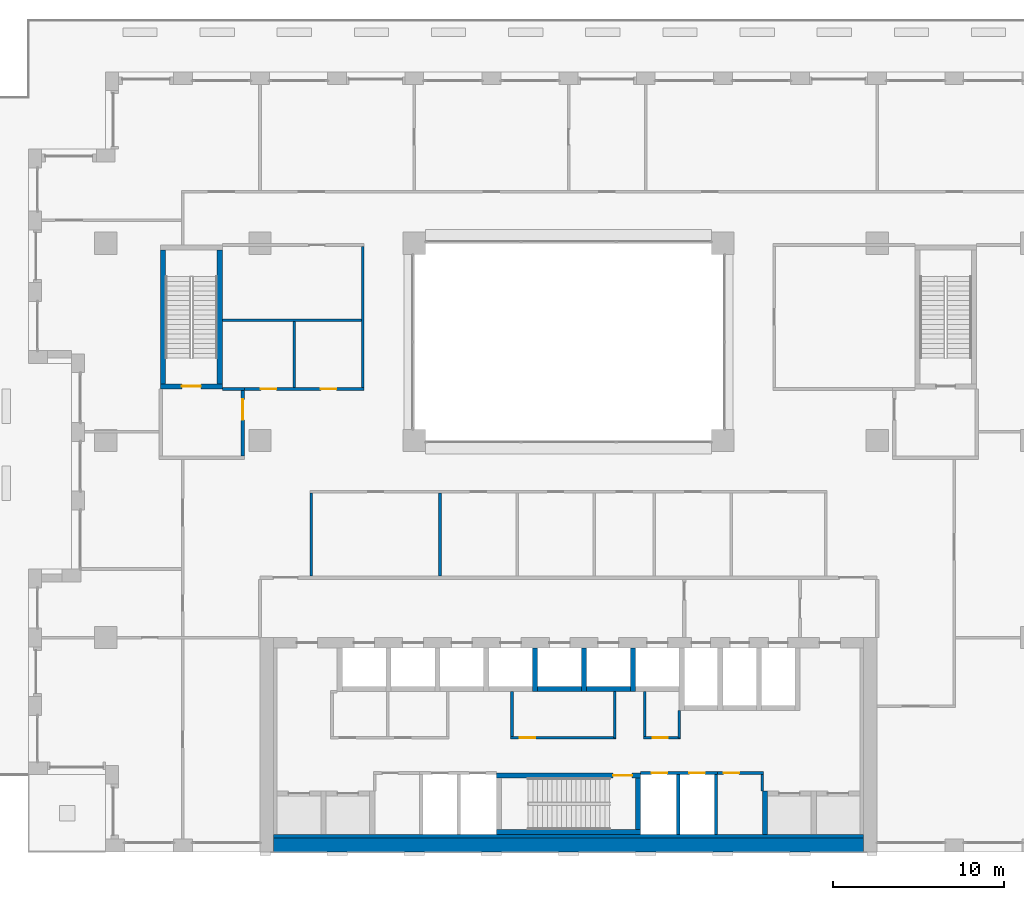
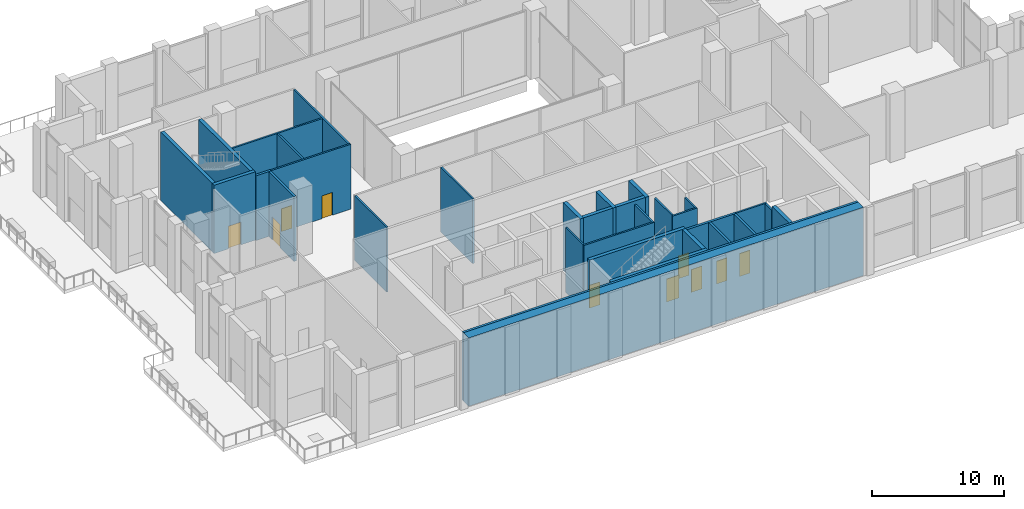
# One storey, part 14 of 21: 33 walls, 10 doors, 10 openings.
"""IFC4 building model written with IfcOpenShell, lengths in metres."""

from ifc_helpers import new_model, si_unit, direction, frame, frame_2d, origin, place, context, subcontext, project, spatial, rectangle, extrude, material, layer, layer_set, type_object, element, fill, save


model = new_model("IFC4")

# Units and contexts
model_context = context("Model", 3, precision=1e-05, world=origin(), true_north=direction((0.0, 1.0)))
body_context = subcontext(model_context, "Body", "Model", "MODEL_VIEW")
ifc_project = project(units=[si_unit("LENGTHUNIT", "METRE"), si_unit("AREAUNIT", "SQUARE_METRE"), si_unit("VOLUMEUNIT", "CUBIC_METRE"), si_unit("PLANEANGLEUNIT", "RADIAN"), si_unit("MASSUNIT", "GRAM", prefix="KILO")], contexts=[model_context])

# Site, building, storey
site_placement = place(None, origin())
site = spatial("IfcSite", under=ifc_project, at=site_placement, CompositionType="ELEMENT")
building_placement = place(site_placement, origin())
building = spatial("IfcBuilding", under=site, at=building_placement, Name="Brigalow Station Residences", CompositionType="ELEMENT")
storey_placement = place(building_placement, frame((0.0, 0.0, 77.25)))
storey = spatial("IfcBuildingStorey", under=building, at=storey_placement, Name="L22", CompositionType="ELEMENT", Elevation=77.25)

# Walls
ifc_material_1 = material(Name="Concrete C65", Category="concrete")
ifc_layer_1 = layer(ifc_material_1, 0.199951171875)
ifc_layer_set_1 = layer_set([ifc_layer_1], Name="CORE SHEAR WALL 200 C65")
wall_type_1 = type_object("IfcWallType", Name="CORE SHEAR WALL 200 C65", PredefinedType="SHEAR", material=ifc_layer_set_1)
wall_1_placement = place(storey_placement, frame((18.800048828125, 0.89990234375, 0.0), z_axis=(0.0, 0.0, 1.0), x_axis=(1.0, 0.0, 0.0)))
element("IfcWall", 1, at=wall_1_placement, inside=storey, type_object=wall_type_1, Name="CORE WALL LIN-S L22", PredefinedType="SHEAR", context=body_context, shape_type="SweptSolid", body=[
    extrude(rectangle(XDim=34.39990234375, YDim=0.199951171875, at=frame_2d((17.199951171875, 0.0))), origin(), (0.0, 0.0, 1.0), 6.300048828125),
])
ifc_material_2 = material(Name="Concrete C65", Category="concrete")
ifc_layer_2 = layer(ifc_material_2, 0.300048828125)
ifc_layer_set_2 = layer_set([ifc_layer_2], Name="CORE SHEAR WALL 300 C65")
wall_type_2 = type_object("IfcWallType", Name="CORE SHEAR WALL 300 C65", PredefinedType="SHEAR", material=ifc_layer_set_2)
wall_2_placement = place(storey_placement, frame((34.199951171875, 9.5, 0.0), z_axis=(0.0, 0.0, 1.0), x_axis=(1.0, 0.0, 0.0)))
element("IfcWall", 2, at=wall_2_placement, inside=storey, type_object=wall_type_2, Name="CORE WALL SH-P5-S L22", PredefinedType="SHEAR", context=body_context, shape_type="SweptSolid", body=[
    extrude(rectangle(XDim=2.550048828125, YDim=0.300048828125, at=frame_2d((1.27490234375, 0.0))), origin(), (0.0, 0.0, 1.0), 6.300048828125),
])
wall_3_placement = place(storey_placement, frame((34.050048828125, 9.35009765625, 0.0), z_axis=(0.0, 0.0, 1.0), x_axis=(0.0, 1.0, 0.0)))
element("IfcWall", 3, at=wall_3_placement, inside=storey, type_object=wall_type_2, Name="CORE WALL SH-P5-W L22", PredefinedType="SHEAR", context=body_context, shape_type="SweptSolid", body=[
    extrude(rectangle(XDim=2.5498046875, YDim=0.300048828125, at=frame_2d((1.27490234375, 0.0))), origin(), (0.0, 0.0, 1.0), 6.300048828125),
])
wall_4_placement = place(storey_placement, frame((37.050048828125, 9.5, 0.0), z_axis=(0.0, 0.0, 1.0), x_axis=(1.0, 0.0, 0.0)))
element("IfcWall", 4, at=wall_4_placement, inside=storey, type_object=wall_type_2, Name="CORE WALL SH-X1-S L22", PredefinedType="SHEAR", context=body_context, shape_type="SweptSolid", body=[
    extrude(rectangle(XDim=2.550048828125, YDim=0.300048828125, at=frame_2d((1.27490234375, 0.0))), origin(), (0.0, 0.0, 1.0), 6.300048828125),
])
for number, where, z_axis, x_axis, name in (
    (5, (36.89990234375, 9.35009765625, 0.0), (0.0, 0.0, 1.0), (0.0, 1.0, 0.0), "CORE WALL SH-X1-W L22"),
    (6, (39.75, 9.35009765625, 0.0), (0.0, 0.0, 1.0), (0.0, 1.0, 0.0), "CORE WALL SH-X2-W L22"),
):
    element("IfcWall", number, at=place(storey_placement, frame(where, z_axis=z_axis, x_axis=x_axis)), inside=storey, type_object=wall_type_2, Name=name, PredefinedType="SHEAR", context=body_context, shape_type="SweptSolid", body=[
        extrude(rectangle(XDim=2.5498046875, YDim=0.300048828125, at=frame_2d((1.27490234375, 0.0))), origin(), (0.0, 0.0, 1.0), 6.300048828125),
    ])
wall_5_placement = place(storey_placement, frame((47.449951171875, 1.0, 0.0), z_axis=(0.0, 0.0, 1.0), x_axis=(0.0, 1.0, 0.0)))
element("IfcWall", 7, at=wall_5_placement, inside=storey, type_object=wall_type_2, Name="CORE WALL SH-C3-W L22", PredefinedType="SHEAR", context=body_context, shape_type="SweptSolid", body=[
    extrude(rectangle(XDim=2.550048828125, YDim=0.300048828125, at=frame_2d((1.27490234375, 0.0))), origin(), (0.0, 0.0, 1.0), 6.300048828125),
])
wall_6_placement = place(storey_placement, frame((31.800048828125, 1.14990234375, 0.0), z_axis=(0.0, 0.0, 1.0), x_axis=(1.0, 0.0, 0.0)))
element("IfcWall", 8, at=wall_6_placement, inside=storey, type_object=wall_type_2, Name="CORE WALL ST-S2-S L22", PredefinedType="SHEAR", context=body_context, shape_type="SweptSolid", body=[
    extrude(rectangle(XDim=8.39990234375, YDim=0.300048828125, at=frame_2d((4.199951171875, 0.0))), origin(), (0.0, 0.0, 1.0), 6.300048828125),
])

# Wall, opening, door
wall_7_placement = place(storey_placement, frame((31.800048828125, 4.449951171875, 0.0), z_axis=(0.0, 0.0, 1.0), x_axis=(1.0, 0.0, 0.0)))
wall_7 = element("IfcWall", 9, at=wall_7_placement, inside=storey, type_object=wall_type_2, Name="CORE WALL ST-S2-N L22", PredefinedType="SHEAR", context=body_context, shape_type="SweptSolid", body=[
    extrude(rectangle(XDim=8.39990234375, YDim=0.300048828125, at=frame_2d((4.199951171875, 0.0))), origin(), (0.0, 0.0, 1.0), 6.300048828125),
])
opening_1_placement = place(wall_7_placement, frame((6.800048828125, 0.0, 0.0)))
opening_1 = element("IfcOpeningElement", 10, at=opening_1_placement, cuts=wall_7, Name="Opening D-5001", PredefinedType="OPENING", context=body_context, shape_type="SweptSolid", body=[
    extrude(rectangle(XDim=1.10009765625, YDim=2.10009765625, at=frame_2d((0.550048828125, 1.050048828125))), frame((0.0, 0.16015625, 0.0), z_axis=(0.0, -1.0, 0.0), x_axis=(1.0, 0.0, 0.0)), (0.0, 0.0, 1.0), 0.320068359375),
])
ifc_material_3 = material(Name="Steel fire door leaf in steel frame", Category="steel")
door_type_1 = type_object("IfcDoorType", Name="STAIR DOOR 1100 x 2100 FD60S", OperationType="SINGLE_SWING_LEFT", PredefinedType="DOOR", material=ifc_material_3)
door_1_placement = place(opening_1_placement, frame((1.10009765625, 0.0, 0.0), z_axis=(0.0, 0.0, 1.0), x_axis=(-1.0, 0.0, 0.0)))
door_1 = element("IfcDoor", 11, at=door_1_placement, inside=storey, type_object=door_type_1, Name="D-5001", OperationType="SINGLE_SWING_LEFT", OverallHeight=2.10009765625, OverallWidth=1.10009765625, PredefinedType="DOOR", context=body_context, shape_type="SweptSolid", body=[
    extrude(rectangle(XDim=1.10009765625, YDim=2.10009765625, at=frame_2d((0.550048828125, 1.050048828125))), frame((0.0, 0.02490234375, 0.0), z_axis=(0.0, -1.0, 0.0), x_axis=(1.0, 0.0, 0.0)), (0.0, 0.0, 1.0), 0.050048828125),
])
fill(opening_1, door_1)

# Wall
wall_8_placement = place(storey_placement, frame((40.050048828125, 1.300048828125, 0.0), z_axis=(0.0, 0.0, 1.0), x_axis=(0.0, 1.0, 0.0)))
element("IfcWall", 12, at=wall_8_placement, inside=storey, type_object=wall_type_2, Name="CORE WALL ST-S2-E L22", PredefinedType="SHEAR", context=body_context, shape_type="SweptSolid", body=[
    extrude(rectangle(XDim=3.0, YDim=0.300048828125, at=frame_2d((1.5, 0.0))), origin(), (0.0, 0.0, 1.0), 6.300048828125),
])

# Wall, opening, door
wall_9_placement = place(storey_placement, frame((12.199951171875, 27.14990234375, 0.0), z_axis=(0.0, 0.0, 1.0), x_axis=(1.0, 0.0, 0.0)))
wall_9 = element("IfcWall", 13, at=wall_9_placement, inside=storey, type_object=wall_type_2, Name="CORE WALL ST-S1-S L22", PredefinedType="SHEAR", context=body_context, shape_type="SweptSolid", body=[
    extrude(rectangle(XDim=3.60009765625, YDim=0.300048828125, at=frame_2d((1.800048828125, 0.0))), origin(), (0.0, 0.0, 1.0), 6.300048828125),
])
opening_2_placement = place(wall_9_placement, frame((1.25, 0.0, 0.0)))
opening_2 = element("IfcOpeningElement", 14, at=opening_2_placement, cuts=wall_9, Name="Opening D-5015", PredefinedType="OPENING", context=body_context, shape_type="SweptSolid", body=[
    extrude(rectangle(XDim=1.10009765625, YDim=2.10009765625, at=frame_2d((0.550048828125, 1.050048828125))), frame((0.0, 0.16015625, 0.0), z_axis=(0.0, -1.0, 0.0), x_axis=(1.0, 0.0, 0.0)), (0.0, 0.0, 1.0), 0.320068359375),
])
door_2_placement = place(opening_2_placement, origin())
door_2 = element("IfcDoor", 15, at=door_2_placement, inside=storey, type_object=door_type_1, Name="D-5015", OperationType="SINGLE_SWING_RIGHT", OverallHeight=2.10009765625, OverallWidth=1.10009765625, PredefinedType="DOOR", context=body_context, shape_type="SweptSolid", body=[
    extrude(rectangle(XDim=1.10009765625, YDim=2.10009765625, at=frame_2d((0.550048828125, 1.050048828125))), frame((0.0, 0.02490234375, 0.0), z_axis=(0.0, -1.0, 0.0), x_axis=(1.0, 0.0, 0.0)), (0.0, 0.0, 1.0), 0.050048828125),
])
fill(opening_2, door_2)

# Walls
for number, where, z_axis, x_axis, name in (
    (16, (12.35009765625, 27.300048828125, 0.0), (0.0, 0.0, 1.0), (0.0, 1.0, 0.0), "CORE WALL ST-S1-W L22"),
    (17, (15.64990234375, 27.300048828125, 0.0), (0.0, 0.0, 1.0), (0.0, 1.0, 0.0), "CORE WALL ST-S1-E L22"),
):
    element("IfcWall", number, at=place(storey_placement, frame(where, z_axis=z_axis, x_axis=x_axis)), inside=storey, type_object=wall_type_2, Name=name, PredefinedType="SHEAR", context=body_context, shape_type="SweptSolid", body=[
        extrude(rectangle(XDim=7.800048828125, YDim=0.300048828125, at=frame_2d((3.89990234375, 0.0))), origin(), (0.0, 0.0, 1.0), 6.300048828125),
    ])
ifc_material_4 = material(Name="Concrete C65", Category="concrete")
ifc_layer_3 = layer(ifc_material_4, 0.800048828125)
ifc_layer_set_3 = layer_set([ifc_layer_3], Name="CORE SHEAR WALL 800 C65")
wall_type_3 = type_object("IfcWallType", Name="CORE SHEAR WALL 800 C65", PredefinedType="SHEAR", material=ifc_layer_set_3)
wall_10_placement = place(storey_placement, frame((18.800048828125, 0.39990234375, 0.0), z_axis=(0.0, 0.0, 1.0), x_axis=(1.0, 0.0, 0.0)))
element("IfcWall", 18, at=wall_10_placement, inside=storey, type_object=wall_type_3, Name="CORE WALL OUT-S L22", PredefinedType="SHEAR", context=body_context, shape_type="SweptSolid", body=[
    extrude(rectangle(XDim=34.39990234375, YDim=0.800048828125, at=frame_2d((17.199951171875, 0.0))), origin(), (0.0, 0.0, 1.0), 6.300048828125),
])

# Wall, openings, doors
ifc_material_5 = material(Name="Concrete blockwork", Category="masonry")
ifc_layer_4 = layer(ifc_material_5, 0.199951171875)
ifc_layer_set_4 = layer_set([ifc_layer_4], Name="FIRE RATED CORE PARTITION 200")
wall_type_4 = type_object("IfcWallType", Name="FIRE RATED CORE PARTITION 200", PredefinedType="PARTITIONING", material=ifc_layer_set_4)
wall_11_placement = place(storey_placement, frame((40.199951171875, 4.60009765625, 0.0), z_axis=(0.0, 0.0, 1.0), x_axis=(1.0, 0.0, 0.0)))
wall_11 = element("IfcWall", 19, at=wall_11_placement, inside=storey, type_object=wall_type_4, Name="PW-5018", PredefinedType="PARTITIONING", context=body_context, shape_type="SweptSolid", body=[
    extrude(rectangle(XDim=4.5, YDim=0.199951171875, at=frame_2d((2.25, 0.0))), origin(), (0.0, 0.0, 1.0), 5.97998046875),
])
opening_3_placement = place(wall_11_placement, frame((0.64990234375, 0.0, 0.0)))
opening_3 = element("IfcOpeningElement", 20, at=opening_3_placement, cuts=wall_11, Name="Opening D-5009", PredefinedType="OPENING", context=body_context, shape_type="SweptSolid", body=[
    extrude(rectangle(XDim=0.89990234375, YDim=2.10009765625, at=frame_2d((0.449951171875, 1.050048828125))), frame((0.0, 0.10986328125, 0.0), z_axis=(0.0, -1.0, 0.0), x_axis=(1.0, 0.0, 0.0)), (0.0, 0.0, 1.0), 0.219970703125),
])
opening_4_placement = place(wall_11_placement, frame((2.85009765625, 0.0, 0.0)))
opening_4 = element("IfcOpeningElement", 21, at=opening_4_placement, cuts=wall_11, Name="Opening D-5010", PredefinedType="OPENING", context=body_context, shape_type="SweptSolid", body=[
    extrude(rectangle(XDim=0.89990234375, YDim=2.10009765625, at=frame_2d((0.449951171875, 1.050048828125))), frame((0.0, 0.10986328125, 0.0), z_axis=(0.0, -1.0, 0.0), x_axis=(1.0, 0.0, 0.0)), (0.0, 0.0, 1.0), 0.219970703125),
])
ifc_material_6 = material(Name="Steel fire door leaf in steel frame", Category="steel")
door_type_2 = type_object("IfcDoorType", Name="RISER ACCESS DOOR 900 x 2100 FD120", OperationType="SINGLE_SWING_LEFT", PredefinedType="DOOR", material=ifc_material_6)
door_3_placement = place(opening_3_placement, frame((0.89990234375, 0.0, 0.0), z_axis=(0.0, 0.0, 1.0), x_axis=(-1.0, 0.0, 0.0)))
door_3 = element("IfcDoor", 22, at=door_3_placement, inside=storey, type_object=door_type_2, Name="D-5009", OperationType="SINGLE_SWING_LEFT", OverallHeight=2.10009765625, OverallWidth=0.89990234375, PredefinedType="DOOR", context=body_context, shape_type="SweptSolid", body=[
    extrude(rectangle(XDim=0.89990234375, YDim=2.10009765625, at=frame_2d((0.449951171875, 1.050048828125))), frame((0.0, 0.02490234375, 0.0), z_axis=(0.0, -1.0, 0.0), x_axis=(1.0, 0.0, 0.0)), (0.0, 0.0, 1.0), 0.050048828125),
])
fill(opening_3, door_3)
door_4_placement = place(opening_4_placement, frame((0.89990234375, 0.0, 0.0), z_axis=(0.0, 0.0, 1.0), x_axis=(-1.0, 0.0, 0.0)))
door_4 = element("IfcDoor", 23, at=door_4_placement, inside=storey, type_object=door_type_2, Name="D-5010", OperationType="SINGLE_SWING_RIGHT", OverallHeight=2.10009765625, OverallWidth=0.89990234375, PredefinedType="DOOR", context=body_context, shape_type="SweptSolid", body=[
    extrude(rectangle(XDim=0.89990234375, YDim=2.10009765625, at=frame_2d((0.449951171875, 1.050048828125))), frame((0.0, 0.02490234375, 0.0), z_axis=(0.0, -1.0, 0.0), x_axis=(1.0, 0.0, 0.0)), (0.0, 0.0, 1.0), 0.050048828125),
])
fill(opening_4, door_4)

# Walls
wall_12_placement = place(storey_placement, frame((15.800048828125, 27.0, 0.0), z_axis=(0.0, 0.0, 1.0), x_axis=(1.0, 0.0, 0.0)))
element("IfcWall", 24, at=wall_12_placement, inside=storey, type_object=wall_type_4, Name="PW-5025", PredefinedType="PARTITIONING", context=body_context, shape_type="SweptSolid", body=[
    extrude(rectangle(XDim=1.300048828125, YDim=0.199951171875, at=frame_2d((0.64990234375, 0.0))), origin(), (0.0, 0.0, 1.0), 5.97998046875),
])
for number, where, z_axis, x_axis, name in (
    (25, (42.39990234375, 1.0, 0.0), (0.0, 0.0, 1.0), (0.0, 1.0, 0.0), "PW-5007"),
    (26, (44.60009765625, 1.0, 0.0), (0.0, 0.0, 1.0), (0.0, 1.0, 0.0), "PW-5008"),
):
    element("IfcWall", number, at=place(storey_placement, frame(where, z_axis=z_axis, x_axis=x_axis)), inside=storey, type_object=wall_type_4, Name=name, PredefinedType="PARTITIONING", context=body_context, shape_type="SweptSolid", body=[
        extrude(rectangle(XDim=3.5, YDim=0.199951171875, at=frame_2d((1.75, 0.0))), origin(), (0.0, 0.0, 1.0), 5.97998046875),
    ])

# Wall, opening, door
wall_13_placement = place(storey_placement, frame((17.0, 23.10009765625, 0.0), z_axis=(0.0, 0.0, 1.0), x_axis=(0.0, 1.0, 0.0)))
wall_13 = element("IfcWall", 27, at=wall_13_placement, inside=storey, type_object=wall_type_4, Name="PW-5035", PredefinedType="PARTITIONING", context=body_context, shape_type="SweptSolid", body=[
    extrude(rectangle(XDim=3.7998046875, YDim=0.199951171875, at=frame_2d((1.89990234375, 0.0))), origin(), (0.0, 0.0, 1.0), 5.97998046875),
])
opening_5_placement = place(wall_13_placement, frame((2.10009765625, 0.0, 0.0)))
opening_5 = element("IfcOpeningElement", 28, at=opening_5_placement, cuts=wall_13, Name="Opening D-5016", PredefinedType="OPENING", context=body_context, shape_type="SweptSolid", body=[
    extrude(rectangle(XDim=1.199951171875, YDim=2.10009765625, at=frame_2d((0.60009765625, 1.050048828125))), frame((0.0, 0.10986328125, 0.0), z_axis=(0.0, -1.0, 0.0), x_axis=(1.0, 0.0, 0.0)), (0.0, 0.0, 1.0), 0.219970703125),
])
ifc_material_7 = material(Name="Steel fire door leaf in steel frame", Category="steel")
door_type_3 = type_object("IfcDoorType", Name="STAIR LOBBY DOOR 1200 x 2100 FD60S", OperationType="SINGLE_SWING_LEFT", PredefinedType="DOOR", material=ifc_material_7)
door_5_placement = place(opening_5_placement, origin())
door_5 = element("IfcDoor", 29, at=door_5_placement, inside=storey, type_object=door_type_3, Name="D-5016", OperationType="SINGLE_SWING_RIGHT", OverallHeight=2.10009765625, OverallWidth=1.199951171875, PredefinedType="DOOR", context=body_context, shape_type="SweptSolid", body=[
    extrude(rectangle(XDim=1.199951171875, YDim=2.10009765625, at=frame_2d((0.60009765625, 1.050048828125))), frame((0.0, 0.02490234375, 0.0), z_axis=(0.0, -1.0, 0.0), x_axis=(1.0, 0.0, 0.0)), (0.0, 0.0, 1.0), 0.050048828125),
])
fill(opening_5, door_5)

# Wall, openings, doors
ifc_material_8 = material(Name="Plasterboard on steel stud partition", Category="steel")
ifc_layer_5 = layer(ifc_material_8, 0.14990234375)
ifc_layer_set_5 = layer_set([ifc_layer_5], Name="FLAT PARTITION 150")
wall_type_5 = type_object("IfcWallType", Name="FLAT PARTITION 150", PredefinedType="PARTITIONING", material=ifc_layer_set_5)
wall_14_placement = place(storey_placement, frame((17.10009765625, 27.0, 0.0), z_axis=(0.0, 0.0, 1.0), x_axis=(1.0, 0.0, 0.0)))
wall_14 = element("IfcWall", 30, at=wall_14_placement, inside=storey, type_object=wall_type_5, Name="PW-SA102", PredefinedType="PARTITIONING", context=body_context, shape_type="SweptSolid", body=[
    extrude(rectangle(XDim=6.974853515625, YDim=0.14990234375, at=frame_2d((3.4873046875, 0.0))), origin(), (0.0, 0.0, 1.0), 5.97998046875),
])
opening_6_placement = place(wall_14_placement, frame((0.949951171875, 0.0, 0.0)))
opening_6 = element("IfcOpeningElement", 31, at=opening_6_placement, cuts=wall_14, Name="Opening D-SA107", PredefinedType="OPENING", context=body_context, shape_type="SweptSolid", body=[
    extrude(rectangle(XDim=0.89990234375, YDim=2.10009765625, at=frame_2d((0.449951171875, 1.050048828125))), frame((0.0, 0.0849609375, 0.0), z_axis=(0.0, -1.0, 0.0), x_axis=(1.0, 0.0, 0.0)), (0.0, 0.0, 1.0), 0.169921875),
])
opening_7_placement = place(wall_14_placement, frame((4.449951171875, 0.0, 0.0)))
opening_7 = element("IfcOpeningElement", 32, at=opening_7_placement, cuts=wall_14, Name="Opening D-SA108", PredefinedType="OPENING", context=body_context, shape_type="SweptSolid", body=[
    extrude(rectangle(XDim=0.89990234375, YDim=2.10009765625, at=frame_2d((0.449951171875, 1.050048828125))), frame((0.0, 0.0849609375, 0.0), z_axis=(0.0, -1.0, 0.0), x_axis=(1.0, 0.0, 0.0)), (0.0, 0.0, 1.0), 0.169921875),
])
ifc_material_9 = material(Name="Solid-core timber door leaf", Category="wood")
door_type_4 = type_object("IfcDoorType", Name="INTERNAL DOOR 900 x 2100", OperationType="SINGLE_SWING_LEFT", PredefinedType="DOOR", material=ifc_material_9)
door_6_placement = place(opening_6_placement, origin())
door_6 = element("IfcDoor", 33, at=door_6_placement, inside=storey, type_object=door_type_4, Name="D-SA107", OperationType="SINGLE_SWING_RIGHT", OverallHeight=2.10009765625, OverallWidth=0.89990234375, PredefinedType="DOOR", context=body_context, shape_type="SweptSolid", body=[
    extrude(rectangle(XDim=0.89990234375, YDim=2.10009765625, at=frame_2d((0.449951171875, 1.050048828125))), frame((0.0, 0.02490234375, 0.0), z_axis=(0.0, -1.0, 0.0), x_axis=(1.0, 0.0, 0.0)), (0.0, 0.0, 1.0), 0.050048828125),
])
fill(opening_6, door_6)
door_7_placement = place(opening_7_placement, origin())
door_7 = element("IfcDoor", 34, at=door_7_placement, inside=storey, type_object=door_type_4, Name="D-SA108", OperationType="SINGLE_SWING_RIGHT", OverallHeight=2.10009765625, OverallWidth=0.89990234375, PredefinedType="DOOR", context=body_context, shape_type="SweptSolid", body=[
    extrude(rectangle(XDim=0.89990234375, YDim=2.10009765625, at=frame_2d((0.449951171875, 1.050048828125))), frame((0.0, 0.02490234375, 0.0), z_axis=(0.0, -1.0, 0.0), x_axis=(1.0, 0.0, 0.0)), (0.0, 0.0, 1.0), 0.050048828125),
])
fill(opening_7, door_7)

# Walls
wall_15_placement = place(storey_placement, frame((15.800048828125, 31.0, 0.0), z_axis=(0.0, 0.0, 1.0), x_axis=(1.0, 0.0, 0.0)))
element("IfcWall", 35, at=wall_15_placement, inside=storey, type_object=wall_type_5, Name="PW-SA114", PredefinedType="PARTITIONING", context=body_context, shape_type="SweptSolid", body=[
    extrude(rectangle(XDim=8.125, YDim=0.14990234375, at=frame_2d((4.0625, 0.0))), origin(), (0.0, 0.0, 1.0), 5.97998046875),
])
wall_16_placement = place(storey_placement, frame((21.0, 16.10009765625, 0.0), z_axis=(0.0, 0.0, 1.0), x_axis=(0.0, 1.0, 0.0)))
element("IfcWall", 36, at=wall_16_placement, inside=storey, type_object=wall_type_5, Name="PW-SA117", PredefinedType="PARTITIONING", context=body_context, shape_type="SweptSolid", body=[
    extrude(rectangle(XDim=4.824951171875, YDim=0.14990234375, at=frame_2d((2.41259765625, 0.0))), origin(), (0.0, 0.0, 1.0), 5.97998046875),
])
wall_17_placement = place(storey_placement, frame((24.0, 27.074951171875, 0.0), z_axis=(0.0, 0.0, 1.0), x_axis=(0.0, 1.0, 0.0)))
element("IfcWall", 37, at=wall_17_placement, inside=storey, type_object=wall_type_5, Name="PW-SA119", PredefinedType="PARTITIONING", context=body_context, shape_type="SweptSolid", body=[
    extrude(rectangle(XDim=8.25, YDim=0.14990234375, at=frame_2d((4.125, 0.0))), origin(), (0.0, 0.0, 1.0), 5.97998046875),
])
wall_18_placement = place(storey_placement, frame((20.0, 27.074951171875, 0.0), z_axis=(0.0, 0.0, 1.0), x_axis=(0.0, 1.0, 0.0)))
element("IfcWall", 38, at=wall_18_placement, inside=storey, type_object=wall_type_5, Name="PW-SA126", PredefinedType="PARTITIONING", context=body_context, shape_type="SweptSolid", body=[
    extrude(rectangle(XDim=3.85009765625, YDim=0.14990234375, at=frame_2d((1.925048828125, 0.0))), origin(), (0.0, 0.0, 1.0), 5.97998046875),
])
wall_19_placement = place(storey_placement, frame((28.5, 16.10009765625, 0.0), z_axis=(0.0, 0.0, 1.0), x_axis=(0.0, 1.0, 0.0)))
element("IfcWall", 39, at=wall_19_placement, inside=storey, type_object=wall_type_5, Name="PW-SA133", PredefinedType="PARTITIONING", context=body_context, shape_type="SweptSolid", body=[
    extrude(rectangle(XDim=4.824951171875, YDim=0.14990234375, at=frame_2d((2.41259765625, 0.0))), origin(), (0.0, 0.0, 1.0), 5.97998046875),
])

# Wall, opening, door
ifc_material_10 = material(Name="Plasterboard on steel studs", Category="steel")
ifc_layer_6 = layer(ifc_material_10, 0.14990234375)
ifc_layer_set_6 = layer_set([ifc_layer_6], Name="SERVICE ROOM PARTITION 150")
wall_type_6 = type_object("IfcWallType", Name="SERVICE ROOM PARTITION 150", PredefinedType="PARTITIONING", material=ifc_layer_set_6)
wall_20_placement = place(storey_placement, frame((44.699951171875, 4.60009765625, 0.0), z_axis=(0.0, 0.0, 1.0), x_axis=(1.0, 0.0, 0.0)))
wall_20 = element("IfcWall", 40, at=wall_20_placement, inside=storey, type_object=wall_type_6, Name="PW-5156", PredefinedType="PARTITIONING", context=body_context, shape_type="SweptSolid", body=[
    extrude(rectangle(XDim=2.675048828125, YDim=0.14990234375, at=frame_2d((1.33740234375, 0.0))), origin(), (0.0, 0.0, 1.0), 5.97998046875),
])
opening_8_placement = place(wall_20_placement, frame((0.35009765625, 0.0, 0.0)))
opening_8 = element("IfcOpeningElement", 41, at=opening_8_placement, cuts=wall_20, Name="Opening D-5026", PredefinedType="OPENING", context=body_context, shape_type="SweptSolid", body=[
    extrude(rectangle(XDim=0.89990234375, YDim=2.10009765625, at=frame_2d((0.449951171875, 1.050048828125))), frame((0.0, 0.0849609375, 0.0), z_axis=(0.0, -1.0, 0.0), x_axis=(1.0, 0.0, 0.0)), (0.0, 0.0, 1.0), 0.169921875),
])
ifc_material_11 = material(Name="Steel door leaf in steel frame", Category="steel")
door_type_5 = type_object("IfcDoorType", Name="SERVICE ROOM DOOR 900 x 2100 FD60", OperationType="SINGLE_SWING_LEFT", PredefinedType="DOOR", material=ifc_material_11)
door_8_placement = place(opening_8_placement, frame((0.89990234375, 0.0, 0.0), z_axis=(0.0, 0.0, 1.0), x_axis=(-1.0, 0.0, 0.0)))
door_8 = element("IfcDoor", 42, at=door_8_placement, inside=storey, type_object=door_type_5, Name="D-5026", OperationType="SINGLE_SWING_RIGHT", OverallHeight=2.10009765625, OverallWidth=0.89990234375, PredefinedType="DOOR", context=body_context, shape_type="SweptSolid", body=[
    extrude(rectangle(XDim=0.89990234375, YDim=2.10009765625, at=frame_2d((0.449951171875, 1.050048828125))), frame((0.0, 0.02490234375, 0.0), z_axis=(0.0, -1.0, 0.0), x_axis=(1.0, 0.0, 0.0)), (0.0, 0.0, 1.0), 0.050048828125),
])
fill(opening_8, door_8)

wall_21_placement = place(storey_placement, frame((32.625, 6.64990234375, 0.0), z_axis=(0.0, 0.0, 1.0), x_axis=(1.0, 0.0, 0.0)))
wall_21 = element("IfcWall", 43, at=wall_21_placement, inside=storey, type_object=wall_type_6, Name="PW-5127", PredefinedType="PARTITIONING", context=body_context, shape_type="SweptSolid", body=[
    extrude(rectangle(XDim=6.14990234375, YDim=0.14990234375, at=frame_2d((3.074951171875, 0.0))), origin(), (0.0, 0.0, 1.0), 5.97998046875),
])
opening_9_placement = place(wall_21_placement, frame((0.52490234375, 0.0, 0.0)))
opening_9 = element("IfcOpeningElement", 44, at=opening_9_placement, cuts=wall_21, Name="Opening D-5073", PredefinedType="OPENING", context=body_context, shape_type="SweptSolid", body=[
    extrude(rectangle(XDim=0.89990234375, YDim=2.10009765625, at=frame_2d((0.449951171875, 1.050048828125))), frame((0.0, 0.0849609375, 0.0), z_axis=(0.0, -1.0, 0.0), x_axis=(1.0, 0.0, 0.0)), (0.0, 0.0, 1.0), 0.169921875),
])
door_9_placement = place(opening_9_placement, origin())
door_9 = element("IfcDoor", 45, at=door_9_placement, inside=storey, type_object=door_type_5, Name="D-5073", OperationType="SINGLE_SWING_LEFT", OverallHeight=2.10009765625, OverallWidth=0.89990234375, PredefinedType="DOOR", context=body_context, shape_type="SweptSolid", body=[
    extrude(rectangle(XDim=0.89990234375, YDim=2.10009765625, at=frame_2d((0.449951171875, 1.050048828125))), frame((0.0, 0.02490234375, 0.0), z_axis=(0.0, -1.0, 0.0), x_axis=(1.0, 0.0, 0.0)), (0.0, 0.0, 1.0), 0.050048828125),
])
fill(opening_9, door_9)

wall_22_placement = place(storey_placement, frame((40.375, 6.64990234375, 0.0), z_axis=(0.0, 0.0, 1.0), x_axis=(1.0, 0.0, 0.0)))
wall_22 = element("IfcWall", 46, at=wall_22_placement, inside=storey, type_object=wall_type_6, Name="PW-5128", PredefinedType="PARTITIONING", context=body_context, shape_type="SweptSolid", body=[
    extrude(rectangle(XDim=2.14990234375, YDim=0.14990234375, at=frame_2d((1.074951171875, 0.0))), origin(), (0.0, 0.0, 1.0), 5.97998046875),
])
opening_10_placement = place(wall_22_placement, frame((0.52490234375, 0.0, 0.0)))
opening_10 = element("IfcOpeningElement", 47, at=opening_10_placement, cuts=wall_22, Name="Opening D-5034", PredefinedType="OPENING", context=body_context, shape_type="SweptSolid", body=[
    extrude(rectangle(XDim=0.89990234375, YDim=2.10009765625, at=frame_2d((0.449951171875, 1.050048828125))), frame((0.0, 0.0849609375, 0.0), z_axis=(0.0, -1.0, 0.0), x_axis=(1.0, 0.0, 0.0)), (0.0, 0.0, 1.0), 0.169921875),
])
door_10_placement = place(opening_10_placement, origin())
door_10 = element("IfcDoor", 48, at=door_10_placement, inside=storey, type_object=door_type_5, Name="D-5034", OperationType="SINGLE_SWING_LEFT", OverallHeight=2.10009765625, OverallWidth=0.89990234375, PredefinedType="DOOR", context=body_context, shape_type="SweptSolid", body=[
    extrude(rectangle(XDim=0.89990234375, YDim=2.10009765625, at=frame_2d((0.449951171875, 1.050048828125))), frame((0.0, 0.02490234375, 0.0), z_axis=(0.0, -1.0, 0.0), x_axis=(1.0, 0.0, 0.0)), (0.0, 0.0, 1.0), 0.050048828125),
])
fill(opening_10, door_10)

# Walls
wall_23_placement = place(storey_placement, frame((47.300048828125, 3.550048828125, 0.0), z_axis=(0.0, 0.0, 1.0), x_axis=(0.0, 1.0, 0.0)))
element("IfcWall", 49, at=wall_23_placement, inside=storey, type_object=wall_type_6, Name="PW-5158", PredefinedType="PARTITIONING", context=body_context, shape_type="SweptSolid", body=[
    extrude(rectangle(XDim=0.974853515625, YDim=0.14990234375, at=frame_2d((0.4873046875, 0.0))), origin(), (0.0, 0.0, 1.0), 5.97998046875),
])
wall_24_placement = place(storey_placement, frame((38.699951171875, 6.64990234375, 0.0), z_axis=(0.0, 0.0, 1.0), x_axis=(0.0, 1.0, 0.0)))
element("IfcWall", 50, at=wall_24_placement, inside=storey, type_object=wall_type_6, Name="PW-5132", PredefinedType="PARTITIONING", context=body_context, shape_type="SweptSolid", body=[
    extrude(rectangle(XDim=2.7001953125, YDim=0.14990234375, at=frame_2d((1.35009765625, 0.0))), origin(), (0.0, 0.0, 1.0), 5.97998046875),
])
wall_25_placement = place(storey_placement, frame((42.449951171875, 6.64990234375, 0.0), z_axis=(0.0, 0.0, 1.0), x_axis=(0.0, 1.0, 0.0)))
element("IfcWall", 51, at=wall_25_placement, inside=storey, type_object=wall_type_6, Name="PW-5029", PredefinedType="PARTITIONING", context=body_context, shape_type="SweptSolid", body=[
    extrude(rectangle(XDim=1.60009765625, YDim=0.14990234375, at=frame_2d((0.800048828125, 0.0))), origin(), (0.0, 0.0, 1.0), 5.97998046875),
])
for number, where, z_axis, x_axis, name in (
    (52, (32.699951171875, 6.72509765625, 0.0), (0.0, 0.0, 1.0), (0.0, 1.0, 0.0), "PW-5135"),
    (53, (40.449951171875, 6.72509765625, 0.0), (0.0, 0.0, 1.0), (0.0, 1.0, 0.0), "PW-5044"),
):
    element("IfcWall", number, at=place(storey_placement, frame(where, z_axis=z_axis, x_axis=x_axis)), inside=storey, type_object=wall_type_6, Name=name, PredefinedType="PARTITIONING", context=body_context, shape_type="SweptSolid", body=[
        extrude(rectangle(XDim=2.625, YDim=0.14990234375, at=frame_2d((1.3125, 0.0))), origin(), (0.0, 0.0, 1.0), 5.97998046875),
    ])

save(model, "model.ifc")
